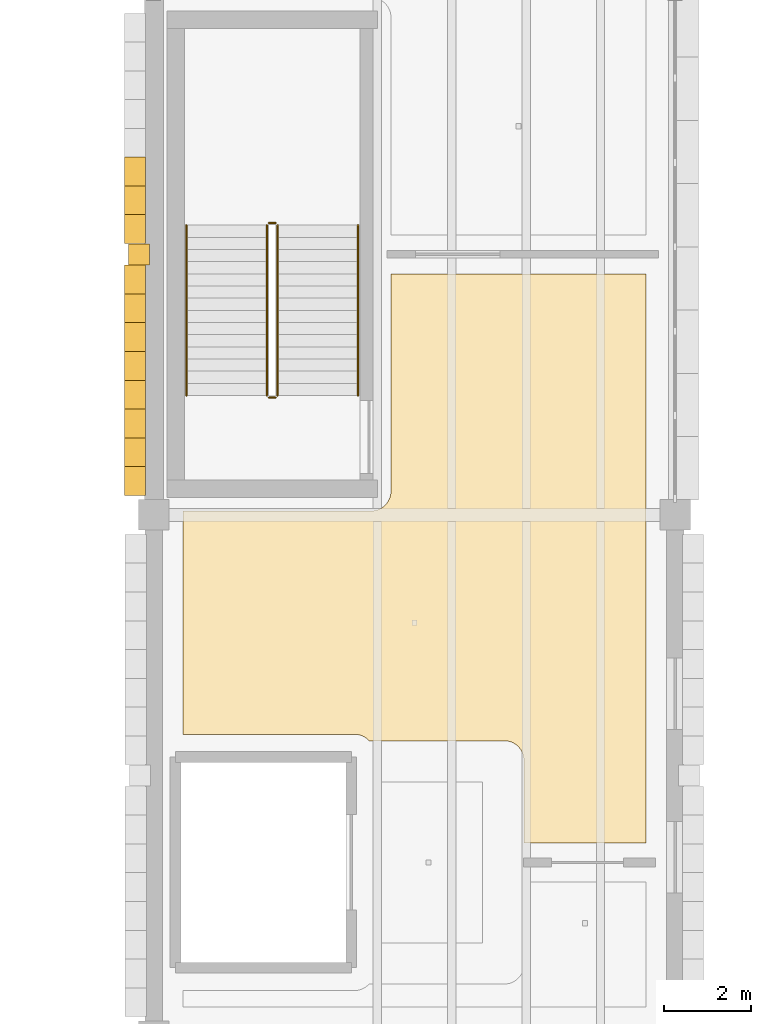
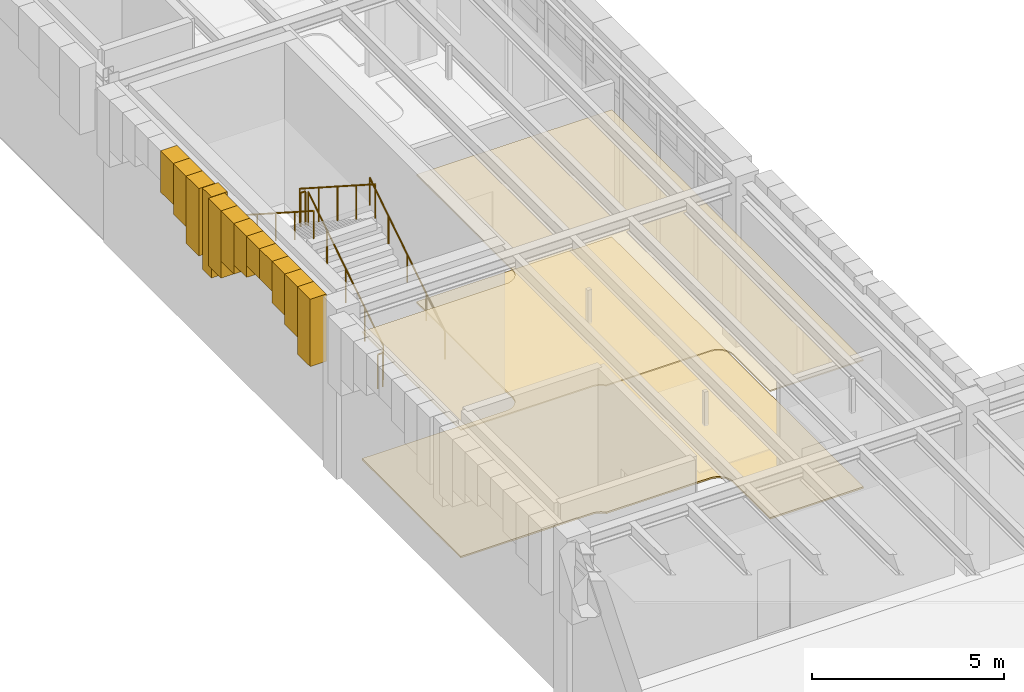
# One storey, part 76 of 100: 14 coverings, 6 railings.
"""IFC4 building model written with IfcOpenShell, lengths in metres."""

from ifc_helpers import new_model, si_unit, direction, frame, origin, origin_2d, place, context, subcontext, project, spatial, polyline, circle, outline, extrude, material, layer, layer_set, type_object, element, save


model = new_model("IFC4")

# Units and contexts
model_context = context("Model", 3, precision=1e-05, world=origin(), true_north=direction((0.0, 1.0)))
body_context = subcontext(model_context, "Body", "Model", "MODEL_VIEW")
ifc_project = project(units=[si_unit("LENGTHUNIT", "METRE"), si_unit("AREAUNIT", "SQUARE_METRE"), si_unit("VOLUMEUNIT", "CUBIC_METRE"), si_unit("PLANEANGLEUNIT", "RADIAN"), si_unit("MASSUNIT", "GRAM", prefix="KILO")], contexts=[model_context])

# Site, building, storey
site_placement = place(None, origin())
site = spatial("IfcSite", under=ifc_project, at=site_placement, CompositionType="ELEMENT")
building_placement = place(site_placement, origin())
building = spatial("IfcBuilding", under=site, at=building_placement, Name="Zlatogorsky Bluff Art Gallery", CompositionType="ELEMENT")
storey_placement = place(building_placement, frame((0.0, 0.0, 5.39990234375)))
storey = spatial("IfcBuildingStorey", under=building, at=storey_placement, Name="L01", CompositionType="ELEMENT", Elevation=5.39990234375)

# Coverings
ifc_material_1 = material(Name="Perforated Gypsum Acoustic Board", Category="gypsum")
ifc_layer_1 = layer(ifc_material_1, 0.0400390625)
ifc_layer_set_1 = layer_set([ifc_layer_1], Name="Acoustic Gallery Ceiling CLG-01")
covering_type_1 = type_object("IfcCoveringType", Name="Acoustic Gallery Ceiling CLG-01", PredefinedType="CEILING", material=ifc_layer_set_1)
covering_1_placement = place(storey_placement, frame((0.0, 0.0, 4.050048828125)))
element("IfcCovering", 1, at=covering_1_placement, inside=storey, type_object=covering_type_1, Name="L01 Conservation Link Corridor acoustic ceiling", PredefinedType="CEILING", context=body_context, shape_type="SweptSolid", body=[
    extrude(outline(polyline([(120.669921875, 62.489990234375), (125.0009765625, 62.489990234375), (125.04541015625, 62.4921875), (125.08935546875, 62.498779296875), (125.09033203125, 62.498779296875), (125.099609375, 62.5009765625), (125.1005859375, 62.501220703125), (125.143798828125, 62.512939453125), (125.185791015625, 62.529296875), (125.1875, 62.530029296875), (125.22314453125, 62.5478515625), (125.22412109375, 62.54833984375), (125.25634765625, 62.568115234375), (125.28662109375, 62.59033203125), (125.2880859375, 62.591552734375), (125.3251953125, 62.624755859375), (125.3583984375, 62.661865234375), (125.359619140625, 62.663330078125), (125.382080078125, 62.693603515625), (125.401611328125, 62.725830078125), (125.402099609375, 62.726806640625), (125.419921875, 62.762451171875), (125.42041015625, 62.763427734375), (125.4208984375, 62.764404296875), (125.43701171875, 62.80615234375), (125.448974609375, 62.849609375), (125.44921875, 62.850341796875), (125.451171875, 62.859619140625), (125.451416015625, 62.860595703125), (125.457763671875, 62.90478515625), (125.4599609375, 62.948974609375), (125.4599609375, 67.949951171875), (131.330078125, 67.949951171875), (131.330078125, 54.85009765625), (128.52001953125, 54.85009765625), (128.52001953125, 56.75), (128.517822265625, 56.794189453125), (128.511474609375, 56.837890625), (128.50048828125, 56.880615234375), (128.485595703125, 56.922119140625), (128.466796875, 56.962158203125), (128.444091796875, 57.0), (128.41796875, 57.035400390625), (128.38818359375, 57.068115234375), (128.35546875, 57.097900390625), (128.320068359375, 57.124267578125), (128.281982421875, 57.14697265625), (128.2421875, 57.165771484375), (128.20068359375, 57.1806640625), (128.15771484375, 57.19140625), (128.114013671875, 57.19775390625), (128.070068359375, 57.199951171875), (124.95458984375, 57.199951171875), (124.938232421875, 57.21826171875), (124.905517578125, 57.247802734375), (124.8701171875, 57.274169921875), (124.83203125, 57.296875), (124.792236328125, 57.315673828125), (124.75048828125, 57.33056640625), (124.707763671875, 57.34130859375), (124.6640625, 57.347900390625), (124.6201171875, 57.35009765625), (120.669921875, 57.35009765625), (120.669921875, 62.489990234375)])), origin(), (0.0, 0.0, 1.0), 0.0400390625),
])
ifc_material_2 = material(Name="Honed Red Agra-Tone Quartzitic Sandstone", Category="masonry")
ifc_layer_2 = layer(ifc_material_2, 0.1201171875)
ifc_layer_set_2 = layer_set([ifc_layer_2], Name="Carved Sandstone Cladding CLD-02")
covering_type_2 = type_object("IfcCoveringType", Name="Carved Sandstone Cladding CLD-02", PredefinedType="CLADDING", material=ifc_layer_set_2)
covering_2_placement = place(storey_placement, frame((0.0, 0.0, 2.780029296875)))
element("IfcCovering", 2, at=covering_2_placement, inside=storey, type_object=covering_type_2, Name="Mughal blind-arch sandstone pilaster L01.W.10.6", PredefinedType="CLADDING", context=body_context, shape_type="SweptSolid", body=[
    extrude(outline(polyline([(119.419921875, 68.159912109375), (119.89990234375, 68.159912109375), (119.89990234375, 68.639892578125), (119.419921875, 68.639892578125), (119.419921875, 68.159912109375)])), origin(), (0.0, 0.0, 1.0), 2.580078125),
])
covering_3_placement = place(storey_placement, frame((0.0, 0.0, 3.222412109375)))
element("IfcCovering", 3, at=covering_3_placement, inside=storey, type_object=covering_type_2, Name="Pointed Mughal arch voussoir spandrel WARCH-L01-W-10-06-A.1", PredefinedType="CLADDING", context=body_context, shape_type="SweptSolid", body=[
    extrude(outline(polyline([(119.320068359375, 62.85009765625), (119.320068359375, 63.512451171875), (119.81005859375, 63.512451171875), (119.81005859375, 62.85009765625), (119.320068359375, 62.85009765625)])), origin(), (0.0, 0.0, 1.0), 2.1376953125),
])
covering_4_placement = place(storey_placement, frame((0.0, 0.0, 3.75390625)))
element("IfcCovering", 4, at=covering_4_placement, inside=storey, type_object=covering_type_2, Name="Pointed Mughal arch voussoir spandrel WARCH-L01-W-10-06-A.2", PredefinedType="CLADDING", context=body_context, shape_type="SweptSolid", body=[
    extrude(outline(polyline([(119.320068359375, 63.512451171875), (119.320068359375, 64.175048828125), (119.81005859375, 64.175048828125), (119.81005859375, 63.512451171875), (119.320068359375, 63.512451171875)])), origin(), (0.0, 0.0, 1.0), 1.606201171875),
])
covering_5_placement = place(storey_placement, frame((0.0, 0.0, 4.046875)))
element("IfcCovering", 5, at=covering_5_placement, inside=storey, type_object=covering_type_2, Name="Pointed Mughal arch voussoir spandrel WARCH-L01-W-10-06-A.3", PredefinedType="CLADDING", context=body_context, shape_type="SweptSolid", body=[
    extrude(outline(polyline([(119.320068359375, 64.175048828125), (119.320068359375, 64.83740234375), (119.81005859375, 64.83740234375), (119.81005859375, 64.175048828125), (119.320068359375, 64.175048828125)])), origin(), (0.0, 0.0, 1.0), 1.313232421875),
])
covering_6_placement = place(storey_placement, frame((0.0, 0.0, 4.41552734375)))
element("IfcCovering", 6, at=covering_6_placement, inside=storey, type_object=covering_type_2, Name="Pointed Mughal arch voussoir spandrel WARCH-L01-W-10-06-A.4", PredefinedType="CLADDING", context=body_context, shape_type="SweptSolid", body=[
    extrude(outline(polyline([(119.320068359375, 64.83740234375), (119.320068359375, 65.5), (119.81005859375, 65.5), (119.81005859375, 64.83740234375), (119.320068359375, 64.83740234375)])), origin(), (0.0, 0.0, 1.0), 0.944580078125),
])
covering_7_placement = place(storey_placement, frame((0.0, 0.0, 4.41552734375)))
element("IfcCovering", 7, at=covering_7_placement, inside=storey, type_object=covering_type_2, Name="Pointed Mughal arch voussoir spandrel WARCH-L01-W-10-06-A.5", PredefinedType="CLADDING", context=body_context, shape_type="SweptSolid", body=[
    extrude(outline(polyline([(119.320068359375, 65.5), (119.320068359375, 66.16259765625), (119.81005859375, 66.16259765625), (119.81005859375, 65.5), (119.320068359375, 65.5)])), origin(), (0.0, 0.0, 1.0), 0.944580078125),
])
covering_8_placement = place(storey_placement, frame((0.0, 0.0, 4.046875)))
element("IfcCovering", 8, at=covering_8_placement, inside=storey, type_object=covering_type_2, Name="Pointed Mughal arch voussoir spandrel WARCH-L01-W-10-06-A.6", PredefinedType="CLADDING", context=body_context, shape_type="SweptSolid", body=[
    extrude(outline(polyline([(119.320068359375, 66.16259765625), (119.320068359375, 66.824951171875), (119.81005859375, 66.824951171875), (119.81005859375, 66.16259765625), (119.320068359375, 66.16259765625)])), origin(), (0.0, 0.0, 1.0), 1.313232421875),
])
covering_9_placement = place(storey_placement, frame((0.0, 0.0, 3.75390625)))
element("IfcCovering", 9, at=covering_9_placement, inside=storey, type_object=covering_type_2, Name="Pointed Mughal arch voussoir spandrel WARCH-L01-W-10-06-A.7", PredefinedType="CLADDING", context=body_context, shape_type="SweptSolid", body=[
    extrude(outline(polyline([(119.320068359375, 66.824951171875), (119.320068359375, 67.487548828125), (119.81005859375, 67.487548828125), (119.81005859375, 66.824951171875), (119.320068359375, 66.824951171875)])), origin(), (0.0, 0.0, 1.0), 1.606201171875),
])
covering_10_placement = place(storey_placement, frame((0.0, 0.0, 3.222412109375)))
element("IfcCovering", 10, at=covering_10_placement, inside=storey, type_object=covering_type_2, Name="Pointed Mughal arch voussoir spandrel WARCH-L01-W-10-06-A.8", PredefinedType="CLADDING", context=body_context, shape_type="SweptSolid", body=[
    extrude(outline(polyline([(119.320068359375, 67.487548828125), (119.320068359375, 68.14990234375), (119.81005859375, 68.14990234375), (119.81005859375, 67.487548828125), (119.320068359375, 67.487548828125)])), origin(), (0.0, 0.0, 1.0), 2.1376953125),
])
covering_11_placement = place(storey_placement, frame((0.0, 0.0, 3.222412109375)))
element("IfcCovering", 11, at=covering_11_placement, inside=storey, type_object=covering_type_2, Name="Pointed Mughal arch voussoir spandrel WARCH-L01-W-10-06-B.1", PredefinedType="CLADDING", context=body_context, shape_type="SweptSolid", body=[
    extrude(outline(polyline([(119.320068359375, 68.64990234375), (119.320068359375, 69.3125), (119.81005859375, 69.3125), (119.81005859375, 68.64990234375), (119.320068359375, 68.64990234375)])), origin(), (0.0, 0.0, 1.0), 2.1376953125),
])
covering_12_placement = place(storey_placement, frame((0.0, 0.0, 3.75390625)))
element("IfcCovering", 12, at=covering_12_placement, inside=storey, type_object=covering_type_2, Name="Pointed Mughal arch voussoir spandrel WARCH-L01-W-10-06-B.2", PredefinedType="CLADDING", context=body_context, shape_type="SweptSolid", body=[
    extrude(outline(polyline([(119.320068359375, 69.3125), (119.320068359375, 69.97509765625), (119.81005859375, 69.97509765625), (119.81005859375, 69.3125), (119.320068359375, 69.3125)])), origin(), (0.0, 0.0, 1.0), 1.606201171875),
])
covering_13_placement = place(storey_placement, frame((0.0, 0.0, 4.046875)))
element("IfcCovering", 13, at=covering_13_placement, inside=storey, type_object=covering_type_2, Name="Pointed Mughal arch voussoir spandrel WARCH-L01-W-10-06-B.3", PredefinedType="CLADDING", context=body_context, shape_type="SweptSolid", body=[
    extrude(outline(polyline([(119.320068359375, 69.97509765625), (119.320068359375, 70.637451171875), (119.81005859375, 70.637451171875), (119.81005859375, 69.97509765625), (119.320068359375, 69.97509765625)])), origin(), (0.0, 0.0, 1.0), 1.313232421875),
])

# Railings
ifc_material_3 = material(Name="Architectural Bronze and Laminated Glass", Category="glass")
railing_type_1 = type_object("IfcRailingType", Name="Gallery Guard Rail 1100mm", PredefinedType="GUARDRAIL", material=ifc_material_3)
railing_1_placement = place(storey_placement, frame((122.85009765625, 65.14990234375, 0.18017578125)))
element("IfcRailing", 14, at=railing_1_placement, inside=storey, type_object=railing_type_1, Name="L01 ST-06 stair guard 1", PredefinedType="GUARDRAIL", context=body_context, shape_type="SweptSolid", body=[
    extrude(circle(Radius=0.02392578125, at=origin_2d()), frame((0.0, 0.0, 1.076171875), z_axis=(0.0, 0.841186985886, 0.540744352514), x_axis=(-1.0, 0.0, 0.0)), (0.0, 0.0, 1.0), 4.660400390625),
    extrude(circle(Radius=0.02099609375, at=origin_2d()), origin(), (0.0, 0.0, 1.0), 1.052001953125),
    extrude(circle(Radius=0.02099609375, at=origin_2d()), frame((0.0, 0.97998046875, 0.6298828125)), (0.0, 0.0, 1.0), 1.052001953125),
    extrude(circle(Radius=0.02099609375, at=origin_2d()), frame((0.0, 1.9599609375, 1.260009765625)), (0.0, 0.0, 1.0), 1.052001953125),
    extrude(circle(Radius=0.02099609375, at=origin_2d()), frame((0.0, 2.940185546875, 1.89013671875)), (0.0, 0.0, 1.0), 1.052001953125),
    extrude(circle(Radius=0.02099609375, at=origin_2d()), frame((0.0, 3.920166015625, 2.52001953125)), (0.0, 0.0, 1.0), 1.052001953125),
])
railing_2_placement = place(storey_placement, frame((122.800048828125, 69.1201171875, 2.7001953125)))
element("IfcRailing", 15, at=railing_2_placement, inside=storey, type_object=railing_type_1, Name="L01 ST-06 stair guard 2", PredefinedType="GUARDRAIL", context=body_context, shape_type="SweptSolid", body=[
    extrude(circle(Radius=0.02392578125, at=origin_2d()), frame((0.0, 0.0, 1.076171875), z_axis=(-1.0, 0.0, 0.0), x_axis=(0.0, -1.0, 0.0)), (0.0, 0.0, 1.0), 0.150146484375),
    extrude(circle(Radius=0.02099609375, at=origin_2d()), origin(), (0.0, 0.0, 1.0), 1.052001953125),
    extrude(circle(Radius=0.02099609375, at=origin_2d()), frame((-0.150146484375, 0.0, 0.0)), (0.0, 0.0, 1.0), 1.052001953125),
])
railing_3_placement = place(storey_placement, frame((122.60009765625, 69.070068359375, 2.880126953125)))
element("IfcRailing", 16, at=railing_3_placement, inside=storey, type_object=railing_type_1, Name="L01 ST-06 stair guard 3", PredefinedType="GUARDRAIL", context=body_context, shape_type="SweptSolid", body=[
    extrude(circle(Radius=0.02392578125, at=origin_2d()), frame((0.0, 0.0, 1.076171875), z_axis=(0.0, -0.841186985886, 0.540744352514), x_axis=(1.0, 0.0, 0.0)), (0.0, 0.0, 1.0), 4.660400390625),
    extrude(circle(Radius=0.02099609375, at=origin_2d()), origin(), (0.0, 0.0, 1.0), 1.052001953125),
    extrude(circle(Radius=0.02099609375, at=origin_2d()), frame((0.0, -0.97998046875, 0.6298828125)), (0.0, 0.0, 1.0), 1.052001953125),
    extrude(circle(Radius=0.02099609375, at=origin_2d()), frame((0.0, -1.9599609375, 1.260009765625)), (0.0, 0.0, 1.0), 1.052001953125),
    extrude(circle(Radius=0.02099609375, at=origin_2d()), frame((0.0, -2.940185546875, 1.89013671875)), (0.0, 0.0, 1.0), 1.052001953125),
    extrude(circle(Radius=0.02099609375, at=origin_2d()), frame((0.0, -3.920166015625, 2.52001953125)), (0.0, 0.0, 1.0), 1.052001953125),
])
railing_4_placement = place(storey_placement, frame((122.800048828125, 65.10009765625, 0.0)))
element("IfcRailing", 17, at=railing_4_placement, inside=storey, type_object=railing_type_1, Name="L01 ST-06 stair guard 4", PredefinedType="GUARDRAIL", context=body_context, shape_type="SweptSolid", body=[
    extrude(circle(Radius=0.02392578125, at=origin_2d()), frame((0.0, 0.0, 1.076171875), z_axis=(-1.0, 0.0, 0.0), x_axis=(0.0, -1.0, 0.0)), (0.0, 0.0, 1.0), 0.150146484375),
    extrude(circle(Radius=0.02099609375, at=origin_2d()), origin(), (0.0, 0.0, 1.0), 1.052001953125),
    extrude(circle(Radius=0.02099609375, at=origin_2d()), frame((-0.150146484375, 0.0, 0.0)), (0.0, 0.0, 1.0), 1.052001953125),
])
ifc_material_4 = material(Name="Brushed Stainless Steel", Category="steel")
railing_type_2 = type_object("IfcRailingType", Name="Stair Pitch Handrail 900mm", PredefinedType="HANDRAIL", material=ifc_material_4)
railing_5_placement = place(storey_placement, frame((124.699951171875, 65.14990234375, 0.18017578125)))
element("IfcRailing", 18, at=railing_5_placement, inside=storey, type_object=railing_type_2, Name="L01 ST-06 stair handrail 1", PredefinedType="HANDRAIL", context=body_context, shape_type="SweptSolid", body=[
    extrude(circle(Radius=0.02392578125, at=origin_2d()), frame((0.0, 0.0, 0.8759765625), z_axis=(0.0, 0.841186985886, 0.540744352514), x_axis=(-1.0, 0.0, 0.0)), (0.0, 0.0, 1.0), 4.660400390625),
    extrude(circle(Radius=0.02099609375, at=origin_2d()), origin(), (0.0, 0.0, 1.0), 0.851806640625),
    extrude(circle(Radius=0.02099609375, at=origin_2d()), frame((0.0, 0.97998046875, 0.6298828125)), (0.0, 0.0, 1.0), 0.851806640625),
    extrude(circle(Radius=0.02099609375, at=origin_2d()), frame((0.0, 1.9599609375, 1.260009765625)), (0.0, 0.0, 1.0), 0.851806640625),
    extrude(circle(Radius=0.02099609375, at=origin_2d()), frame((0.0, 2.940185546875, 1.89013671875)), (0.0, 0.0, 1.0), 0.851806640625),
    extrude(circle(Radius=0.02099609375, at=origin_2d()), frame((0.0, 3.920166015625, 2.52001953125)), (0.0, 0.0, 1.0), 0.851806640625),
])
railing_6_placement = place(storey_placement, frame((120.75, 69.070068359375, 2.880126953125)))
element("IfcRailing", 19, at=railing_6_placement, inside=storey, type_object=railing_type_2, Name="L01 ST-06 stair handrail 2", PredefinedType="HANDRAIL", context=body_context, shape_type="SweptSolid", body=[
    extrude(circle(Radius=0.02392578125, at=origin_2d()), frame((0.0, 0.0, 0.8759765625), z_axis=(0.0, -0.841186985886, 0.540744352514), x_axis=(1.0, 0.0, 0.0)), (0.0, 0.0, 1.0), 4.660400390625),
    extrude(circle(Radius=0.02099609375, at=origin_2d()), origin(), (0.0, 0.0, 1.0), 0.851806640625),
    extrude(circle(Radius=0.02099609375, at=origin_2d()), frame((0.0, -0.97998046875, 0.6298828125)), (0.0, 0.0, 1.0), 0.851806640625),
    extrude(circle(Radius=0.02099609375, at=origin_2d()), frame((0.0, -1.9599609375, 1.260009765625)), (0.0, 0.0, 1.0), 0.851806640625),
    extrude(circle(Radius=0.02099609375, at=origin_2d()), frame((0.0, -2.940185546875, 1.89013671875)), (0.0, 0.0, 1.0), 0.851806640625),
    extrude(circle(Radius=0.02099609375, at=origin_2d()), frame((0.0, -3.920166015625, 2.52001953125)), (0.0, 0.0, 1.0), 0.851806640625),
])

# Covering
ifc_material_5 = material(Name="Polished Ural Marble Terrazzo", Category="masonry")
ifc_layer_3 = layer(ifc_material_5, 0.050048828125)
ifc_layer_set_3 = layer_set([ifc_layer_3], Name="Terrazzo Gallery Flooring FLR-01")
covering_type_3 = type_object("IfcCoveringType", Name="Terrazzo Gallery Flooring FLR-01", PredefinedType="FLOORING", material=ifc_layer_set_3)
covering_14_placement = place(storey_placement, origin())
element("IfcCovering", 20, at=covering_14_placement, inside=storey, type_object=covering_type_3, Name="L01 Conservation Link Corridor terrazzo floor finish", PredefinedType="FLOORING", context=body_context, shape_type="SweptSolid", body=[
    extrude(outline(polyline([(120.669921875, 62.489990234375), (125.0009765625, 62.489990234375), (125.04541015625, 62.4921875), (125.08935546875, 62.498779296875), (125.09033203125, 62.498779296875), (125.099609375, 62.5009765625), (125.1005859375, 62.501220703125), (125.143798828125, 62.512939453125), (125.185791015625, 62.529296875), (125.1875, 62.530029296875), (125.22314453125, 62.5478515625), (125.22412109375, 62.54833984375), (125.25634765625, 62.568115234375), (125.28662109375, 62.59033203125), (125.2880859375, 62.591552734375), (125.3251953125, 62.624755859375), (125.3583984375, 62.661865234375), (125.359619140625, 62.663330078125), (125.382080078125, 62.693603515625), (125.401611328125, 62.725830078125), (125.402099609375, 62.726806640625), (125.419921875, 62.762451171875), (125.42041015625, 62.763427734375), (125.4208984375, 62.764404296875), (125.43701171875, 62.80615234375), (125.448974609375, 62.849609375), (125.44921875, 62.850341796875), (125.451171875, 62.859619140625), (125.451416015625, 62.860595703125), (125.457763671875, 62.90478515625), (125.4599609375, 62.948974609375), (125.4599609375, 67.949951171875), (131.330078125, 67.949951171875), (131.330078125, 54.85009765625), (128.52001953125, 54.85009765625), (128.52001953125, 56.75), (128.517822265625, 56.794189453125), (128.511474609375, 56.837890625), (128.50048828125, 56.880615234375), (128.485595703125, 56.922119140625), (128.466796875, 56.962158203125), (128.444091796875, 57.0), (128.41796875, 57.035400390625), (128.38818359375, 57.068115234375), (128.35546875, 57.097900390625), (128.320068359375, 57.124267578125), (128.281982421875, 57.14697265625), (128.2421875, 57.165771484375), (128.20068359375, 57.1806640625), (128.15771484375, 57.19140625), (128.114013671875, 57.19775390625), (128.070068359375, 57.199951171875), (124.95458984375, 57.199951171875), (124.938232421875, 57.21826171875), (124.905517578125, 57.247802734375), (124.8701171875, 57.274169921875), (124.83203125, 57.296875), (124.792236328125, 57.315673828125), (124.75048828125, 57.33056640625), (124.707763671875, 57.34130859375), (124.6640625, 57.347900390625), (124.6201171875, 57.35009765625), (120.669921875, 57.35009765625), (120.669921875, 62.489990234375)])), origin(), (0.0, 0.0, 1.0), 0.050048828125),
])

save(model, "model.ifc")
